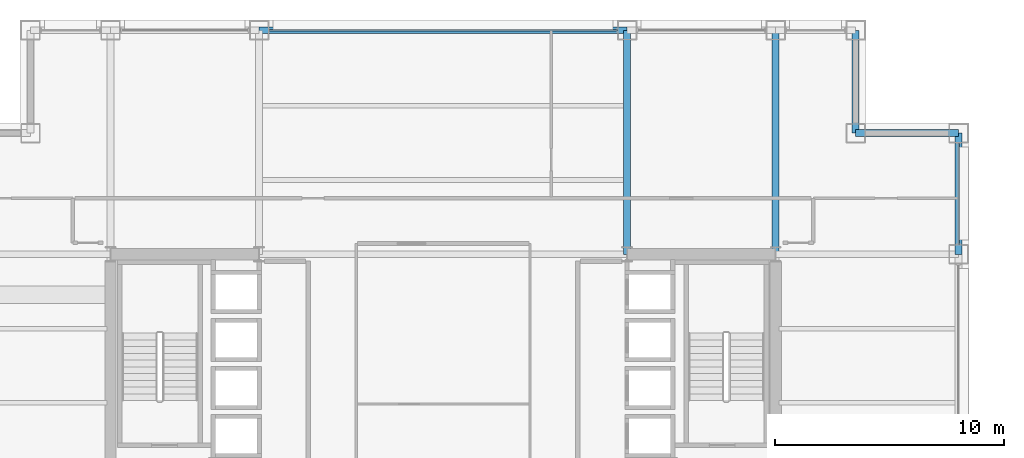
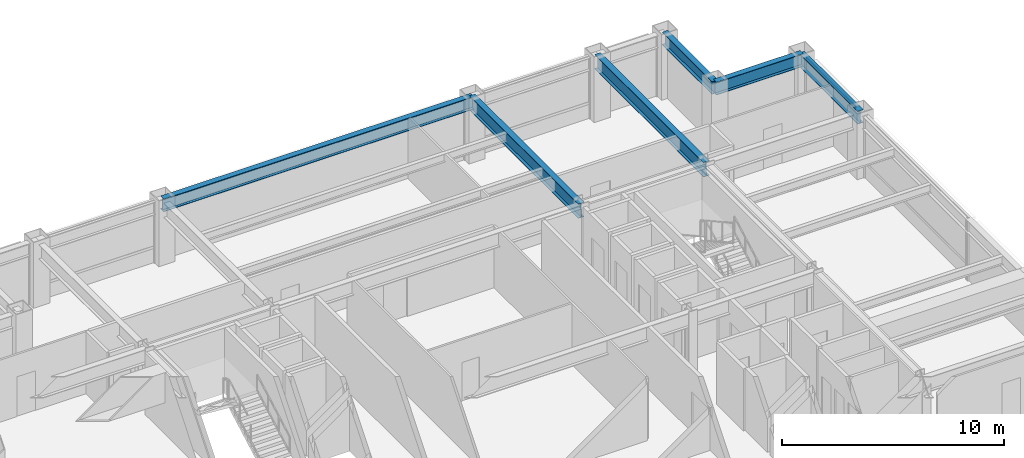
# One storey, part 21 of 28: 6 beams, 2 members, 2 elements without a shape of their own.
"""IFC4 building model written with IfcOpenShell, lengths in metres."""

from ifc_helpers import new_model, si_unit, direction, frame, origin, origin_2d, place, context, subcontext, project, spatial, hollow_rectangle, i_section, extrude, material, layer, layer_set, material_profile, profile_set, type_object, element, aggregate, save


model = new_model("IFC4")

# Units and contexts
model_context = context("Model", 3, precision=1e-05, world=origin(), true_north=direction((0.0, 1.0)))
body_context = subcontext(model_context, "Body", "Model", "MODEL_VIEW")
ifc_project = project(units=[si_unit("LENGTHUNIT", "METRE"), si_unit("AREAUNIT", "SQUARE_METRE"), si_unit("VOLUMEUNIT", "CUBIC_METRE"), si_unit("PLANEANGLEUNIT", "RADIAN"), si_unit("MASSUNIT", "GRAM", prefix="KILO")], contexts=[model_context])

# Site, building, storey
site_placement = place(None, origin())
site = spatial("IfcSite", under=ifc_project, at=site_placement, CompositionType="ELEMENT")
building_placement = place(site_placement, origin())
building = spatial("IfcBuilding", under=site, at=building_placement, Name="Brelmoor Portico Tower", CompositionType="ELEMENT")
storey_placement = place(building_placement, frame((0.0, 0.0, 91.800048828125)))
storey = spatial("IfcBuildingStorey", under=building, at=storey_placement, Name="L23", CompositionType="ELEMENT", Elevation=91.800048828125)

# Beams
ifc_material_1 = material(Name="Steel Q355B", Category="steel")
ifc_material_profile_1 = material_profile(ifc_material_1, i_section(OverallWidth=0.300048828125, OverallDepth=0.800048828125, WebThickness=0.013916015625, FlangeThickness=0.02587890625, at=origin_2d()), Name="HN 800x300x14x26")
ifc_profile_set_1 = profile_set([ifc_material_profile_1], Name="Steel Q355B")
beam_type_1 = type_object("IfcBeamType", Name="BM-PG-800", PredefinedType="BEAM", material=ifc_profile_set_1)
for number, where, z_axis, x_axis, name in (
    (1, (8.050048828125, 9.75, 3.0), (0.0, 1.0, 0.0), (-1.0, 0.0, 0.0), "L23 Primary Floor Girder PG-08"),
    (2, (14.550048828125, 9.75, 3.0), (0.0, 1.0, 0.0), (-1.0, 0.0, 0.0), "L23 Primary Floor Girder PG-12"),
):
    element("IfcBeam", number, at=place(storey_placement, frame(where, z_axis=z_axis, x_axis=x_axis)), inside=storey, type_object=beam_type_1, Name=name, PredefinedType="BEAM", context=body_context, shape_type="SweptSolid", body=[
        extrude(i_section(OverallWidth=0.300048828125, OverallDepth=0.800048828125, WebThickness=0.013916015625, FlangeThickness=0.02587890625, at=origin_2d()), origin(), (0.0, 0.0, 1.0), 9.800048828125),
    ])
ifc_material_profile_2 = material_profile(ifc_material_1, i_section(OverallWidth=0.300048828125, OverallDepth=0.699951171875, WebThickness=0.012939453125, FlangeThickness=0.02392578125, at=origin_2d()), Name="HN 700x300x13x24")
ifc_profile_set_2 = profile_set([ifc_material_profile_2], Name="Steel Q355B")
beam_type_2 = type_object("IfcBeamType", Name="BM-SP-700", PredefinedType="SPANDREL", material=ifc_profile_set_2)
beam_1_placement = place(storey_placement, frame((18.050048828125, 15.050048828125, 3.050048828125), z_axis=(1.0, 0.0, 0.0), x_axis=(0.0, 1.0, 0.0)))
element("IfcBeam", 3, at=beam_1_placement, inside=storey, type_object=beam_type_2, Name="L23 Perimeter Spandrel Beam SP-09", PredefinedType="SPANDREL", context=body_context, shape_type="SweptSolid", body=[
    extrude(i_section(OverallWidth=0.300048828125, OverallDepth=0.699951171875, WebThickness=0.012939453125, FlangeThickness=0.02392578125, at=origin_2d()), origin(), (0.0, 0.0, 1.0), 4.5),
])
beam_2_placement = place(storey_placement, frame((-8.050048828125, 19.550048828125, 3.050048828125), z_axis=(1.0, 0.0, 0.0), x_axis=(0.0, 1.0, 0.0)))
element("IfcBeam", 4, at=beam_2_placement, inside=storey, type_object=beam_type_2, Name="L23 Perimeter Spandrel Beam SP-12", PredefinedType="SPANDREL", context=body_context, shape_type="SweptSolid", body=[
    extrude(i_section(OverallWidth=0.300048828125, OverallDepth=0.699951171875, WebThickness=0.012939453125, FlangeThickness=0.02392578125, at=origin_2d()), origin(), (0.0, 0.0, 1.0), 16.10009765625),
])
beam_3_placement = place(storey_placement, frame((18.050048828125, 15.050048828125, 3.050048828125), z_axis=(0.0, 1.0, 0.0), x_axis=(-1.0, 0.0, 0.0)))
element("IfcBeam", 5, at=beam_3_placement, inside=storey, type_object=beam_type_2, Name="L23 Perimeter Spandrel Beam SP-21", PredefinedType="SPANDREL", context=body_context, shape_type="SweptSolid", body=[
    extrude(i_section(OverallWidth=0.300048828125, OverallDepth=0.699951171875, WebThickness=0.012939453125, FlangeThickness=0.02392578125, at=origin_2d()), origin(), (0.0, 0.0, 1.0), 4.5),
])
beam_4_placement = place(storey_placement, frame((22.550048828125, 9.75, 3.050048828125), z_axis=(0.0, 1.0, 0.0), x_axis=(-1.0, 0.0, 0.0)))
element("IfcBeam", 6, at=beam_4_placement, inside=storey, type_object=beam_type_2, Name="L23 Perimeter Spandrel Beam SP-24", PredefinedType="SPANDREL", context=body_context, shape_type="SweptSolid", body=[
    extrude(i_section(OverallWidth=0.300048828125, OverallDepth=0.699951171875, WebThickness=0.012939453125, FlangeThickness=0.02392578125, at=origin_2d()), origin(), (0.0, 0.0, 1.0), 5.300048828125),
])

# Curtain wall, member
ifc_material_2 = material(Name="Anodised Aluminium Alloy 6063-T6", Category="aluminium")
ifc_layer = layer(ifc_material_2, 0.179931640625)
ifc_layer_set = layer_set([ifc_layer], Name="Anodised Aluminium Alloy 6063-T6")
curtain_wall_type = type_object("IfcCurtainWallType", Name="CW-TOWER-Z2-XB", PredefinedType="NOTDEFINED", material=ifc_layer_set)
curtain_wall_1_placement = place(storey_placement, origin())
curtain_wall_1 = element("IfcCurtainWall", 7, at=curtain_wall_1_placement, inside=storey, type_object=curtain_wall_type, Name="L23 Curtain Wall CW-L23-02-3", PredefinedType="NOTDEFINED")
ifc_material_profile_3 = material_profile(ifc_material_2, hollow_rectangle(XDim=0.06494140625, YDim=0.139892578125, WallThickness=0.00390625, at=origin_2d()), Name="ALU TRANSOM 65x140")
ifc_profile_set_3 = profile_set([ifc_material_profile_3], Name="Anodised Aluminium Alloy 6063-T6")
member_type = type_object("IfcMemberType", Name="MB-CW-TRAN-140", PredefinedType="USERDEFINED", material=ifc_profile_set_3)
member_1_placement = place(storey_placement, frame((-7.614990234375, 19.550048828125, 3.329833984375), z_axis=(1.0, 0.0, 0.0), x_axis=(0.0, 1.0, 0.0)))
member_1 = element("IfcMember", 8, at=member_1_placement, type_object=member_type, Name="CW-L23-02-3 Transom 1-00", ObjectType="TRANSOM", PredefinedType="USERDEFINED", context=body_context, shape_type="SweptSolid", body=[
    extrude(hollow_rectangle(XDim=0.06494140625, YDim=0.139892578125, WallThickness=0.00390625, at=origin_2d()), origin(), (0.0, 0.0, 1.0), 15.22998046875),
])
aggregate(curtain_wall_1, [member_1])

curtain_wall_2_placement = place(storey_placement, origin())
curtain_wall_2 = element("IfcCurtainWall", 9, at=curtain_wall_2_placement, inside=storey, type_object=curtain_wall_type, Name="L23 Curtain Wall CW-L23-04-3", PredefinedType="NOTDEFINED")
member_2_placement = place(storey_placement, frame((22.550048828125, 10.18505859375, 3.329833984375), z_axis=(0.0, 1.0, 0.0), x_axis=(-1.0, 0.0, 0.0)))
member_2 = element("IfcMember", 10, at=member_2_placement, type_object=member_type, Name="CW-L23-04-3 Transom 1-00", ObjectType="TRANSOM", PredefinedType="USERDEFINED", context=body_context, shape_type="SweptSolid", body=[
    extrude(hollow_rectangle(XDim=0.06494140625, YDim=0.139892578125, WallThickness=0.00390625, at=origin_2d()), origin(), (0.0, 0.0, 1.0), 4.429931640625),
])
aggregate(curtain_wall_2, [member_2])

save(model, "model.ifc")
